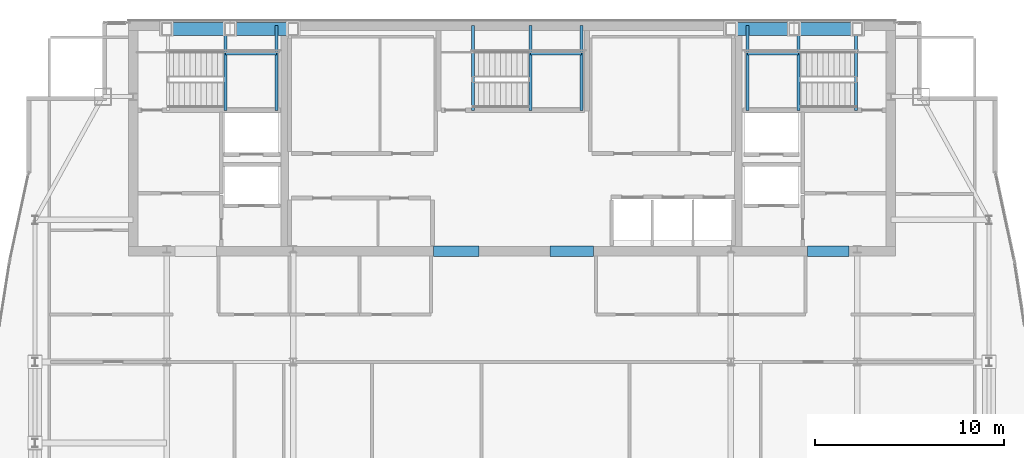
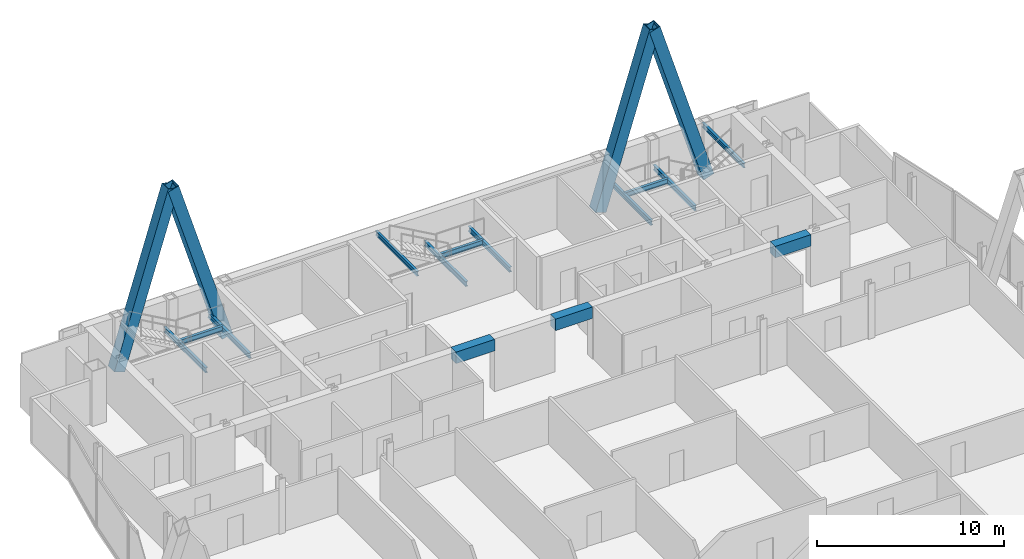
# One storey, part 21 of 29: 14 beams, 4 members.
"""IFC4 building model written with IfcOpenShell, lengths in metres."""

from ifc_helpers import new_model, si_unit, direction, frame, origin, origin_2d, place, context, subcontext, project, spatial, rectangle, hollow_rectangle, i_section, extrude, material, material_profile, profile_set, type_object, element, save


model = new_model("IFC4")

# Units and contexts
model_context = context("Model", 3, precision=1e-05, world=origin(), true_north=direction((0.0, 1.0)))
body_context = subcontext(model_context, "Body", "Model", "MODEL_VIEW")
ifc_project = project(units=[si_unit("LENGTHUNIT", "METRE"), si_unit("AREAUNIT", "SQUARE_METRE"), si_unit("VOLUMEUNIT", "CUBIC_METRE"), si_unit("PLANEANGLEUNIT", "RADIAN"), si_unit("MASSUNIT", "GRAM", prefix="KILO")], contexts=[model_context])

# Site, building, storey
site_placement = place(None, origin())
site = spatial("IfcSite", under=ifc_project, at=site_placement, CompositionType="ELEMENT")
building_placement = place(site_placement, origin())
building = spatial("IfcBuilding", under=site, at=building_placement, Name="Khoronbel Lancet Exchange", CompositionType="ELEMENT")
storey_placement = place(building_placement, frame((0.0, 0.0, 314.60009765625)))
storey = spatial("IfcBuildingStorey", under=building, at=storey_placement, Name="L81", CompositionType="ELEMENT", Elevation=314.60009765625)

# Beams
ifc_material_1 = material(Name="Steel S355", Category="steel")
ifc_material_profile_1 = material_profile(ifc_material_1, i_section(OverallWidth=0.159912109375, OverallDepth=0.330078125, WebThickness=0.007568359375, FlangeThickness=0.011474609375, at=origin_2d()), Name="IPE 330")
ifc_profile_set_1 = profile_set([ifc_material_profile_1], Name="Steel S355")
beam_type_1 = type_object("IfcBeamType", Name="BM-BJ7", PredefinedType="JOIST", material=ifc_profile_set_1)
for number, where, z_axis, x_axis, name in (
    (1, (21.320068359375, 48.97998046875, 1.434814453125), (0.0, 1.0, 0.0), (-1.0, 0.0, 0.0), "Level L81 stair ST1 landing bearer beam 1"),
    (2, (24.030029296875, 48.97998046875, 1.434814453125), (0.0, 1.0, 0.0), (-1.0, 0.0, 0.0), "Level L81 stair ST1 rear landing bearer beam 1"),
):
    element("IfcBeam", number, at=place(storey_placement, frame(where, z_axis=z_axis, x_axis=x_axis)), inside=storey, type_object=beam_type_1, Name=name, PredefinedType="JOIST", context=body_context, shape_type="SweptSolid", body=[
        extrude(i_section(OverallWidth=0.159912109375, OverallDepth=0.330078125, WebThickness=0.007568359375, FlangeThickness=0.011474609375, at=origin_2d()), origin(), (0.0, 0.0, 1.0), 4.469970703125),
    ])
beam_1_placement = place(storey_placement, frame((21.320068359375, 51.97998046875, 1.434814453125), z_axis=(1.0, 0.0, 0.0), x_axis=(0.0, 1.0, 0.0)))
element("IfcBeam", 3, at=beam_1_placement, inside=storey, type_object=beam_type_1, Name="Level L81 stair ST1 landing cross trimmer beam 1", PredefinedType="JOIST", context=body_context, shape_type="SweptSolid", body=[
    extrude(i_section(OverallWidth=0.159912109375, OverallDepth=0.330078125, WebThickness=0.007568359375, FlangeThickness=0.011474609375, at=origin_2d()), origin(), (0.0, 0.0, 1.0), 2.7099609375),
])
for number, where, z_axis, x_axis, name in (
    (4, (51.580078125, 48.97998046875, 1.434814453125), (0.0, 1.0, 0.0), (-1.0, 0.0, 0.0), "Level L81 stair ST2 landing bearer beam 1"),
    (5, (48.8701171875, 48.97998046875, 1.434814453125), (0.0, 1.0, 0.0), (-1.0, 0.0, 0.0), "Level L81 stair ST2 rear landing bearer beam 1"),
):
    element("IfcBeam", number, at=place(storey_placement, frame(where, z_axis=z_axis, x_axis=x_axis)), inside=storey, type_object=beam_type_1, Name=name, PredefinedType="JOIST", context=body_context, shape_type="SweptSolid", body=[
        extrude(i_section(OverallWidth=0.159912109375, OverallDepth=0.330078125, WebThickness=0.007568359375, FlangeThickness=0.011474609375, at=origin_2d()), origin(), (0.0, 0.0, 1.0), 4.469970703125),
    ])
beam_2_placement = place(storey_placement, frame((48.8701171875, 51.97998046875, 1.434814453125), z_axis=(1.0, 0.0, 0.0), x_axis=(0.0, 1.0, 0.0)))
element("IfcBeam", 6, at=beam_2_placement, inside=storey, type_object=beam_type_1, Name="Level L81 stair ST2 landing cross trimmer beam 1", PredefinedType="JOIST", context=body_context, shape_type="SweptSolid", body=[
    extrude(i_section(OverallWidth=0.159912109375, OverallDepth=0.330078125, WebThickness=0.007568359375, FlangeThickness=0.011474609375, at=origin_2d()), origin(), (0.0, 0.0, 1.0), 2.7099609375),
])
for number, where, z_axis, x_axis, name in (
    (7, (37.419921875, 48.97998046875, 1.434814453125), (0.0, 1.0, 0.0), (-1.0, 0.0, 0.0), "Level L81 stair ST3 landing bearer beam 1"),
    (8, (40.1298828125, 48.97998046875, 1.434814453125), (0.0, 1.0, 0.0), (-1.0, 0.0, 0.0), "Level L81 stair ST3 rear landing bearer beam 1"),
):
    element("IfcBeam", number, at=place(storey_placement, frame(where, z_axis=z_axis, x_axis=x_axis)), inside=storey, type_object=beam_type_1, Name=name, PredefinedType="JOIST", context=body_context, shape_type="SweptSolid", body=[
        extrude(i_section(OverallWidth=0.159912109375, OverallDepth=0.330078125, WebThickness=0.007568359375, FlangeThickness=0.011474609375, at=origin_2d()), origin(), (0.0, 0.0, 1.0), 4.469970703125),
    ])
beam_3_placement = place(storey_placement, frame((37.419921875, 51.97998046875, 1.434814453125), z_axis=(1.0, 0.0, 0.0), x_axis=(0.0, 1.0, 0.0)))
element("IfcBeam", 9, at=beam_3_placement, inside=storey, type_object=beam_type_1, Name="Level L81 stair ST3 landing cross trimmer beam 1", PredefinedType="JOIST", context=body_context, shape_type="SweptSolid", body=[
    extrude(i_section(OverallWidth=0.159912109375, OverallDepth=0.330078125, WebThickness=0.007568359375, FlangeThickness=0.011474609375, at=origin_2d()), origin(), (0.0, 0.0, 1.0), 2.7099609375),
])
ifc_material_profile_2 = material_profile(ifc_material_1, i_section(OverallWidth=0.14990234375, OverallDepth=0.300048828125, WebThickness=0.007080078125, FlangeThickness=0.0107421875, at=origin_2d()), Name="IPE 300")
ifc_profile_set_2 = profile_set([ifc_material_profile_2], Name="Steel S355")
beam_type_2 = type_object("IfcBeamType", Name="BM-BJ8", PredefinedType="JOIST", material=ifc_profile_set_2)
for number, where, z_axis, x_axis, name in (
    (10, (54.60009765625, 48.97998046875, 3.159912109375), (0.0, 1.0, 0.0), (-1.0, 0.0, 0.0), "Level L81 stair ST2 upper-flight arrival trimmer beam"),
    (11, (34.39990234375, 48.97998046875, 3.159912109375), (0.0, 1.0, 0.0), (-1.0, 0.0, 0.0), "Level L81 stair ST3 upper-flight arrival trimmer beam"),
):
    element("IfcBeam", number, at=place(storey_placement, frame(where, z_axis=z_axis, x_axis=x_axis)), inside=storey, type_object=beam_type_2, Name=name, PredefinedType="JOIST", context=body_context, shape_type="SweptSolid", body=[
        extrude(i_section(OverallWidth=0.14990234375, OverallDepth=0.300048828125, WebThickness=0.007080078125, FlangeThickness=0.0107421875, at=origin_2d()), origin(), (0.0, 0.0, 1.0), 4.469970703125),
    ])
ifc_material_2 = material(Name="Concrete C60/75", Category="concrete")
ifc_material_profile_3 = material_profile(ifc_material_2, rectangle(XDim=0.550048828125, YDim=0.75, at=origin_2d()), Name="RC 550x750")
ifc_profile_set_3 = profile_set([ifc_material_profile_3], Name="Concrete C60/75")
beam_type_3 = type_object("IfcBeamType", Name="BM-BL2", PredefinedType="LINTEL", material=ifc_profile_set_3)
beam_4_placement = place(storey_placement, frame((32.300048828125, 41.550048828125, 3.06494140625), z_axis=(1.0, 0.0, 0.0), x_axis=(0.0, 1.0, 0.0)))
element("IfcBeam", 12, at=beam_4_placement, inside=storey, type_object=beam_type_3, Name="Level L81 rear core coupling lintel L2", PredefinedType="LINTEL", context=body_context, shape_type="SweptSolid", body=[
    extrude(rectangle(XDim=0.550048828125, YDim=0.75, at=origin_2d()), origin(), (0.0, 0.0, 1.0), 2.39990234375),
])
beam_5_placement = place(storey_placement, frame((38.449951171875, 41.550048828125, 3.06494140625), z_axis=(1.0, 0.0, 0.0), x_axis=(0.0, 1.0, 0.0)))
element("IfcBeam", 13, at=beam_5_placement, inside=storey, type_object=beam_type_3, Name="Level L81 rear core coupling lintel L3", PredefinedType="LINTEL", context=body_context, shape_type="SweptSolid", body=[
    extrude(rectangle(XDim=0.550048828125, YDim=0.75, at=origin_2d()), origin(), (0.0, 0.0, 1.0), 2.300048828125),
])
beam_6_placement = place(storey_placement, frame((52.050048828125, 41.550048828125, 3.06494140625), z_axis=(1.0, 0.0, 0.0), x_axis=(0.0, 1.0, 0.0)))
element("IfcBeam", 14, at=beam_6_placement, inside=storey, type_object=beam_type_3, Name="Level L81 rear core coupling lintel L4", PredefinedType="LINTEL", context=body_context, shape_type="SweptSolid", body=[
    extrude(rectangle(XDim=0.550048828125, YDim=0.75, at=origin_2d()), origin(), (0.0, 0.0, 1.0), 2.199951171875),
])

# Members
ifc_material_3 = material(Name="Steel S460", Category="steel")
ifc_material_profile_4 = material_profile(ifc_material_3, hollow_rectangle(XDim=0.679931640625, YDim=0.679931640625, WallThickness=0.044921875, at=origin_2d()), Name="BOX 680x680x45")
ifc_profile_set_4 = profile_set([ifc_material_profile_4], Name="Steel S460")
member_type = type_object("IfcMemberType", Name="MEM-MB3", PredefinedType="BRACE", material=ifc_profile_set_4)
for number, where, z_axis, x_axis, name in (
    (15, (18.22509765625, 53.280029296875, 0.0), (0.295248201357, 0.0, 0.955420587802), (0.0, 1.0, 0.0), "Perimeter lancet brace tier 28 N-W-L"),
    (16, (24.89990234375, 53.280029296875, 0.0), (-0.295248201357, 0.0, 0.955420587802), (0.0, -1.0, 0.0), "Perimeter lancet brace tier 28 N-W-R"),
    (17, (48.0, 53.280029296875, 0.0), (0.295248201357, 0.0, 0.955420587802), (0.0, 1.0, 0.0), "Perimeter lancet brace tier 28 N-E-L"),
    (18, (54.675048828125, 53.280029296875, 0.0), (-0.295267916675, 0.0, 0.955414495066), (0.0, -1.0, 0.0), "Perimeter lancet brace tier 28 N-E-R"),
):
    element("IfcMember", number, at=place(storey_placement, frame(where, z_axis=z_axis, x_axis=x_axis)), inside=storey, type_object=member_type, Name=name, PredefinedType="BRACE", context=body_context, shape_type="SweptSolid", body=[
        extrude(hollow_rectangle(XDim=0.679931640625, YDim=0.679931640625, WallThickness=0.044921875, at=origin_2d()), origin(), (0.0, 0.0, 1.0), 11.3037109375),
    ])

save(model, "model.ifc")
